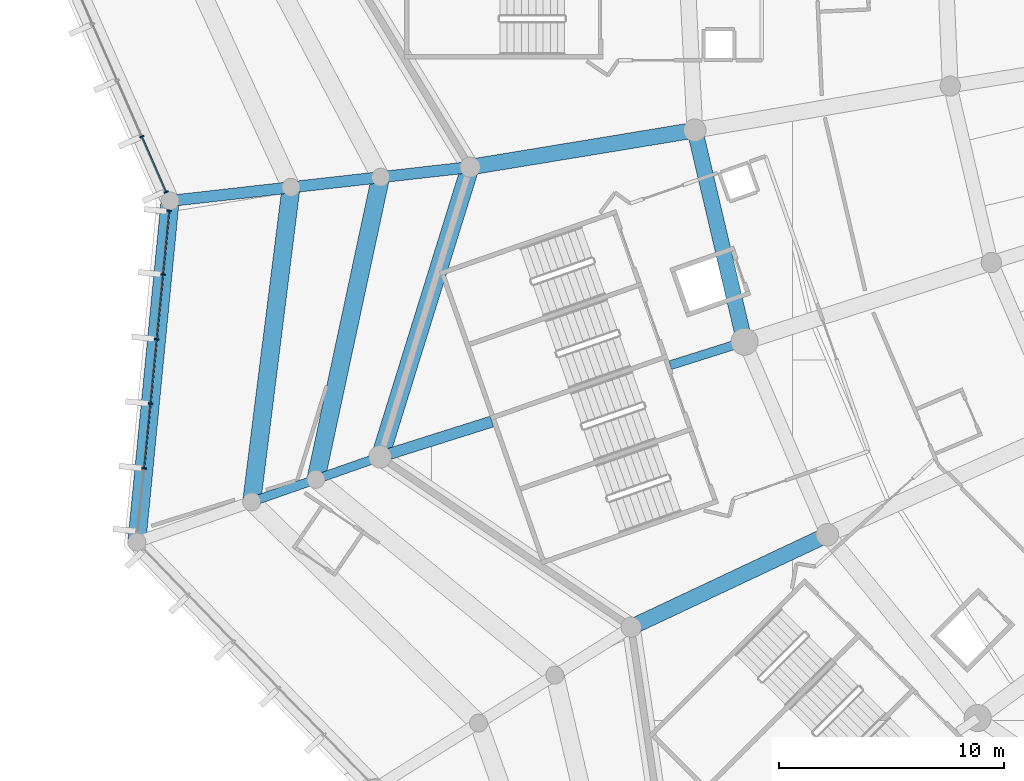
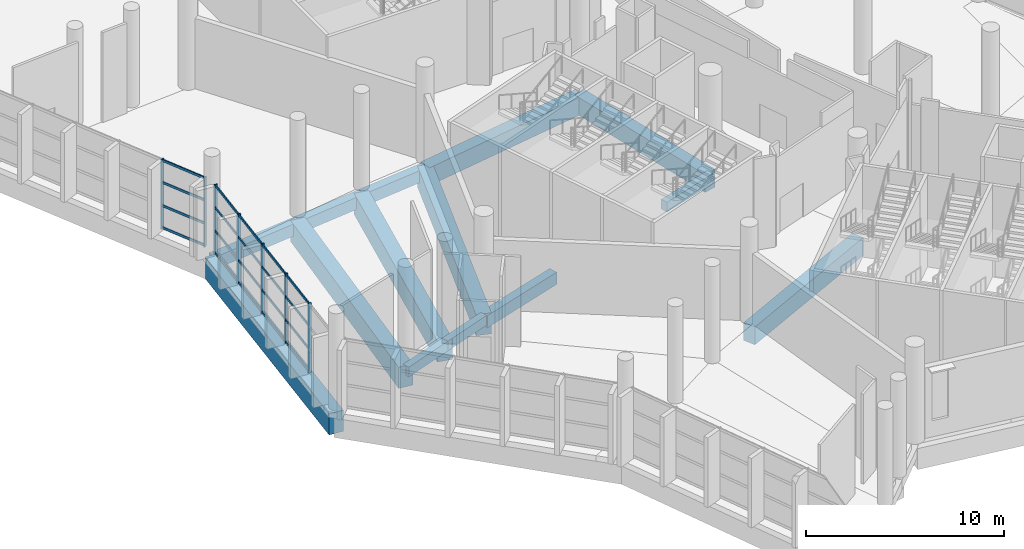
# One storey, part 9 of 249: 27 members, 14 beams, 2 elements without a shape of their own.
"""IFC4 building model written with IfcOpenShell, lengths in metres."""

from ifc_helpers import new_model, si_unit, direction, frame, origin, origin_2d, place, context, subcontext, project, spatial, rectangle, extrude, material, layer, layer_set, material_profile, profile_set, type_object, element, aggregate, save


model = new_model("IFC4")

# Units and contexts
model_context = context("Model", 3, precision=1e-05, world=origin(), true_north=direction((0.0, 1.0)))
body_context = subcontext(model_context, "Body", "Model", "MODEL_VIEW")
ifc_project = project(units=[si_unit("LENGTHUNIT", "METRE"), si_unit("AREAUNIT", "SQUARE_METRE"), si_unit("VOLUMEUNIT", "CUBIC_METRE"), si_unit("PLANEANGLEUNIT", "RADIAN"), si_unit("MASSUNIT", "GRAM", prefix="KILO")], contexts=[model_context])

# Site, building, storey
site_placement = place(None, origin())
site = spatial("IfcSite", under=ifc_project, at=site_placement, CompositionType="ELEMENT")
building_placement = place(site_placement, origin())
building = spatial("IfcBuilding", under=site, at=building_placement, Name="Meseta Stadium", CompositionType="ELEMENT")
storey_placement = place(building_placement, frame((0.0, 0.0, 12.0)))
storey = spatial("IfcBuildingStorey", under=building, at=storey_placement, Name="L02", CompositionType="ELEMENT", Elevation=12.0)

# Beams
ifc_material_1 = material(Name="Concrete C40/50", Category="concrete")
ifc_material_profile_1 = material_profile(ifc_material_1, rectangle(XDim=0.39990234375, YDim=0.60009765625, at=origin_2d()), Name="RC 400x600")
ifc_profile_set_1 = profile_set([ifc_material_profile_1], Name="Concrete C40/50")
beam_type_1 = type_object("IfcBeamType", Name="RC beam 400x600", PredefinedType="BEAM", material=ifc_profile_set_1)
beam_1_placement = place(storey_placement, frame((-82.119873046875, -63.191162109375, -0.64990234375), z_axis=(-0.953578389502, -0.301144907105, 0.0), x_axis=(0.301144907105, -0.953578389502, 0.0)))
element("IfcBeam", 1, at=beam_1_placement, inside=storey, type_object=beam_type_1, Name="L02 radial beam frame 38 line P to R", PredefinedType="BEAM", context=body_context, shape_type="SweptSolid", body=[
    extrude(rectangle(XDim=0.39990234375, YDim=0.60009765625, at=origin_2d()), origin(), (0.0, 0.0, 1.0), 3.451904296875),
])
beam_2_placement = place(storey_placement, frame((-98.291015625, -68.297607421875, -0.64990234375), z_axis=(-0.943904999317, -0.33021712897, 0.0), x_axis=(0.33021712897, -0.943904999317, 0.0)))
element("IfcBeam", 2, at=beam_2_placement, inside=storey, type_object=beam_type_1, Name="L02 radial beam frame 38 line R to M", PredefinedType="BEAM", context=body_context, shape_type="SweptSolid", body=[
    extrude(rectangle(XDim=0.39990234375, YDim=0.60009765625, at=origin_2d()), origin(), (0.0, 0.0, 1.0), 3.018798828125),
])
beam_3_placement = place(storey_placement, frame((-101.140380859375, -69.29443359375, -0.64990234375), z_axis=(-0.943888610281, -0.330263972274, 0.0), x_axis=(0.330263972274, -0.943888610281, 0.0)))
element("IfcBeam", 3, at=beam_3_placement, inside=storey, type_object=beam_type_1, Name="L02 radial beam frame 38 line M to Q", PredefinedType="BEAM", context=body_context, shape_type="SweptSolid", body=[
    extrude(rectangle(XDim=0.39990234375, YDim=0.60009765625, at=origin_2d()), origin(), (0.0, 0.0, 1.0), 3.01904296875),
])
ifc_material_2 = material(Name="Concrete C40/50", Category="concrete")
ifc_material_profile_2 = material_profile(ifc_material_2, rectangle(XDim=0.5, YDim=0.75, at=origin_2d()), Name="RC 500x750")
ifc_profile_set_2 = profile_set([ifc_material_profile_2], Name="Concrete C40/50")
beam_type_2 = type_object("IfcBeamType", Name="RC beam 500x750", PredefinedType="BEAM", material=ifc_profile_set_2)
beam_4_placement = place(storey_placement, frame((-93.330078125, -66.73095703125, -0.72509765625), z_axis=(-0.953580537384, -0.301138105728, 0.0), x_axis=(0.301138105728, -0.953580537384, 0.0)))
element("IfcBeam", 4, at=beam_4_placement, inside=storey, type_object=beam_type_2, Name="L02 radial beam frame 38 line P to R", PredefinedType="BEAM", context=body_context, shape_type="SweptSolid", body=[
    extrude(rectangle(XDim=0.5, YDim=0.75, at=origin_2d()), origin(), (0.0, 0.0, 1.0), 5.202392578125),
])
for number, where, z_axis, x_axis, name in (
    (5, (-94.29443359375, -55.44140625, -0.72509765625), (-0.993708325891, -0.111998942203, 0.0), (0.111998942203, -0.993708325891, 0.0), "L02 radial beam frame 37 line R to M"),
    (6, (-98.269287109375, -55.889404296875, -0.72509765625), (-0.993715116939, -0.111938672346, 0.0), (0.111938672346, -0.993715116939, 0.0), "L02 radial beam frame 37 line M to Q"),
):
    element("IfcBeam", number, at=place(storey_placement, frame(where, z_axis=z_axis, x_axis=x_axis)), inside=storey, type_object=beam_type_2, Name=name, PredefinedType="BEAM", context=body_context, shape_type="SweptSolid", body=[
        extrude(rectangle(XDim=0.5, YDim=0.75, at=origin_2d()), origin(), (0.0, 0.0, 1.0), 4.0),
    ])
beam_5_placement = place(storey_placement, frame((-102.244140625, -56.337158203125, -0.72509765625), z_axis=(-0.993709385305, -0.111989542172, 0.0), x_axis=(0.111989542172, -0.993709385305, 0.0)))
element("IfcBeam", 7, at=beam_5_placement, inside=storey, type_object=beam_type_2, Name="L02 radial beam frame 37 line Q to O", PredefinedType="BEAM", context=body_context, shape_type="SweptSolid", body=[
    extrude(rectangle(XDim=0.5, YDim=0.75, at=origin_2d()), origin(), (0.0, 0.0, 1.0), 5.39990234375),
])
ifc_material_3 = material(Name="Concrete C40/50", Category="concrete")
ifc_material_profile_3 = material_profile(ifc_material_3, rectangle(XDim=0.699951171875, YDim=1.10009765625, at=origin_2d()), Name="RC 700x1100")
ifc_profile_set_3 = profile_set([ifc_material_profile_3], Name="Concrete C40/50")
beam_type_3 = type_object("IfcBeamType", Name="RC beam 700x1100", PredefinedType="BEAM", material=ifc_profile_set_3)
beam_6_placement = place(storey_placement, frame((-84.3251953125, -53.801513671875, -0.89990234375), z_axis=(0.228645688533, -0.973509706739, 0.0), x_axis=(0.973509706739, 0.228645688533, 0.0)))
element("IfcBeam", 8, at=beam_6_placement, inside=storey, type_object=beam_type_3, Name="L02 ring beam frame 37 line P", PredefinedType="BEAM", context=body_context, shape_type="SweptSolid", body=[
    extrude(rectangle(XDim=0.699951171875, YDim=1.10009765625, at=origin_2d()), origin(), (0.0, 0.0, 1.0), 9.645263671875),
])
beam_7_placement = place(storey_placement, frame((-84.3251953125, -53.801513671875, -0.89990234375), z_axis=(-0.986739169318, -0.162313929576, 0.0), x_axis=(0.162313929576, -0.986739169318, 0.0)))
element("IfcBeam", 9, at=beam_7_placement, inside=storey, type_object=beam_type_3, Name="L02 radial beam frame 37 line P to R", PredefinedType="BEAM", context=body_context, shape_type="SweptSolid", body=[
    extrude(rectangle(XDim=0.699951171875, YDim=1.10009765625, at=origin_2d()), origin(), (0.0, 0.0, 1.0), 10.103271484375),
])
beam_8_placement = place(storey_placement, frame((-78.4453125, -71.756103515625, -0.89990234375), z_axis=(-0.904664550747, -0.426124454382, 0.0), x_axis=(0.426124454382, -0.904664550747, 0.0)))
element("IfcBeam", 10, at=beam_8_placement, inside=storey, type_object=beam_type_3, Name="L02 radial beam frame 39 line P to R", PredefinedType="BEAM", context=body_context, shape_type="SweptSolid", body=[
    extrude(rectangle(XDim=0.699951171875, YDim=1.10009765625, at=origin_2d()), origin(), (0.0, 0.0, 1.0), 9.623046875),
])
ifc_material_4 = material(Name="Concrete C40/50", Category="concrete")
ifc_material_profile_4 = material_profile(ifc_material_4, rectangle(XDim=0.800048828125, YDim=1.300048828125, at=origin_2d()), Name="RC 800x1300")
ifc_profile_set_4 = profile_set([ifc_material_profile_4], Name="Concrete C40/50")
beam_type_4 = type_object("IfcBeamType", Name="RC beam 800x1300", PredefinedType="BEAM", material=ifc_profile_set_4)
beam_9_placement = place(storey_placement, frame((-94.29443359375, -55.44140625, -1.0), z_axis=(-0.296854913016, -0.954922594045, 0.0), x_axis=(0.954922594045, -0.296854913016, 0.0)))
element("IfcBeam", 11, at=beam_9_placement, inside=storey, type_object=beam_type_4, Name="L02 ring beam frame 37 line R", PredefinedType="BEAM", context=body_context, shape_type="SweptSolid", body=[
    extrude(rectangle(XDim=0.800048828125, YDim=1.300048828125, at=origin_2d()), origin(), (0.0, 0.0, 1.0), 13.463134765625),
])
beam_10_placement = place(storey_placement, frame((-98.269287109375, -55.889404296875, -1.0), z_axis=(-0.209430575028, -0.977823518966, 0.0), x_axis=(0.977823518966, -0.209430575028, 0.0)))
element("IfcBeam", 12, at=beam_10_placement, inside=storey, type_object=beam_type_4, Name="L02 ring beam frame 37 line M", PredefinedType="BEAM", context=body_context, shape_type="SweptSolid", body=[
    extrude(rectangle(XDim=0.800048828125, YDim=1.300048828125, at=origin_2d()), origin(), (0.0, 0.0, 1.0), 13.708984375),
])
beam_11_placement = place(storey_placement, frame((-102.244140625, -56.337158203125, -1.0), z_axis=(-0.124143703283, -0.99226424955, 0.0), x_axis=(0.99226424955, -0.124143703283, 0.0)))
element("IfcBeam", 13, at=beam_11_placement, inside=storey, type_object=beam_type_4, Name="L02 ring beam frame 37 line Q", PredefinedType="BEAM", context=body_context, shape_type="SweptSolid", body=[
    extrude(rectangle(XDim=0.800048828125, YDim=1.300048828125, at=origin_2d()), origin(), (0.0, 0.0, 1.0), 14.063232421875),
])
beam_12_placement = place(storey_placement, frame((-107.610107421875, -56.94189453125, -1.0), z_axis=(-0.097125179524, -0.99527217358, 0.0), x_axis=(0.99527217358, -0.097125179524, 0.0)))
element("IfcBeam", 14, at=beam_12_placement, inside=storey, type_object=beam_type_4, Name="L02 ring beam frame 37 line O", PredefinedType="BEAM", context=body_context, shape_type="SweptSolid", body=[
    extrude(rectangle(XDim=0.800048828125, YDim=1.300048828125, at=origin_2d()), origin(), (0.0, 0.0, 1.0), 15.205078125),
])

# Curtain wall, members
ifc_material_5 = material(Name="Aluminium", Category="aluminium")
ifc_layer = layer(ifc_material_5, 0.199951171875)
ifc_layer_set = layer_set([ifc_layer], Name="Ring shopfront curtain wall")
curtain_wall_type = type_object("IfcCurtainWallType", Name="Ring shopfront curtain wall", PredefinedType="NOTDEFINED", material=ifc_layer_set)
curtain_wall_1_placement = place(storey_placement, origin())
curtain_wall_1 = element("IfcCurtainWall", 15, at=curtain_wall_1_placement, inside=storey, type_object=curtain_wall_type, Name="Ring glazing L02 F36", PredefinedType="NOTDEFINED")
ifc_material_6 = material(Name="Aluminium", Category="aluminium")
ifc_material_profile_5 = material_profile(ifc_material_6, rectangle(XDim=0.199951171875, YDim=0.06005859375, at=origin_2d()), Name="CW 200x60")
ifc_profile_set_5 = profile_set([ifc_material_profile_5], Name="Aluminium")
member_type_1 = type_object("IfcMemberType", Name="Ring CW mullion 60x200", PredefinedType="MULLION", material=ifc_profile_set_5)
member_1_placement = place(storey_placement, frame((-108.864501953125, -54.083740234375, 0.0), z_axis=(0.0, 0.0, 1.0), x_axis=(0.915687110145, 0.401891921186, 0.0)))
member_1 = element("IfcMember", 16, at=member_1_placement, type_object=member_type_1, Name="CWR1 mullion 5", PredefinedType="MULLION", context=body_context, shape_type="SweptSolid", body=[
    extrude(rectangle(XDim=0.199951171875, YDim=0.06005859375, at=origin_2d()), origin(), (0.0, 0.0, 1.0), 4.300048828125),
])
member_2_placement = place(storey_placement, frame((-107.782958984375, -56.548095703125, 0.0), z_axis=(0.0, 0.0, 1.0), x_axis=(0.915687110145, 0.401891921186, 0.0)))
member_2 = element("IfcMember", 17, at=member_2_placement, type_object=member_type_1, Name="CWR1 mullion 6", PredefinedType="MULLION", context=body_context, shape_type="SweptSolid", body=[
    extrude(rectangle(XDim=0.199951171875, YDim=0.06005859375, at=origin_2d()), origin(), (0.0, 0.0, 1.0), 4.300048828125),
])

curtain_wall_2_placement = place(storey_placement, origin())
curtain_wall_2 = element("IfcCurtainWall", 18, at=curtain_wall_2_placement, inside=storey, type_object=curtain_wall_type, Name="Ring glazing L02 F37", PredefinedType="NOTDEFINED")
member_3_placement = place(storey_placement, frame((-107.65185546875, -57.369873046875, 0.0), z_axis=(0.0, 0.0, 1.0), x_axis=(0.995272228282, -0.097124618973, 0.0)))
member_3 = element("IfcMember", 19, at=member_3_placement, type_object=member_type_1, Name="CWR1 mullion 1", PredefinedType="MULLION", context=body_context, shape_type="SweptSolid", body=[
    extrude(rectangle(XDim=0.199951171875, YDim=0.06005859375, at=origin_2d()), origin(), (0.0, 0.0, 1.0), 4.300048828125),
])
member_4_placement = place(storey_placement, frame((-107.9287109375, -60.207275390625, 0.0), z_axis=(0.0, 0.0, 1.0), x_axis=(0.995272228282, -0.097124618973, 0.0)))
member_4 = element("IfcMember", 20, at=member_4_placement, type_object=member_type_1, Name="CWR1 mullion 2", PredefinedType="MULLION", context=body_context, shape_type="SweptSolid", body=[
    extrude(rectangle(XDim=0.199951171875, YDim=0.06005859375, at=origin_2d()), origin(), (0.0, 0.0, 1.0), 4.300048828125),
])
member_5_placement = place(storey_placement, frame((-108.208740234375, -63.07470703125, 0.0), z_axis=(0.0, 0.0, 1.0), x_axis=(0.995272228282, -0.097124618973, 0.0)))
member_5 = element("IfcMember", 21, at=member_5_placement, type_object=member_type_1, Name="CWR1 mullion 3", PredefinedType="MULLION", context=body_context, shape_type="SweptSolid", body=[
    extrude(rectangle(XDim=0.199951171875, YDim=0.06005859375, at=origin_2d()), origin(), (0.0, 0.0, 1.0), 4.300048828125),
])
member_6_placement = place(storey_placement, frame((-108.488525390625, -65.942138671875, 0.0), z_axis=(0.0, 0.0, 1.0), x_axis=(0.995272228282, -0.097124618973, 0.0)))
member_6 = element("IfcMember", 22, at=member_6_placement, type_object=member_type_1, Name="CWR1 mullion 4", PredefinedType="MULLION", context=body_context, shape_type="SweptSolid", body=[
    extrude(rectangle(XDim=0.199951171875, YDim=0.06005859375, at=origin_2d()), origin(), (0.0, 0.0, 1.0), 4.300048828125),
])
member_7_placement = place(storey_placement, frame((-108.768310546875, -68.8095703125, 0.0), z_axis=(0.0, 0.0, 1.0), x_axis=(0.995272228282, -0.097124618973, 0.0)))
member_7 = element("IfcMember", 23, at=member_7_placement, type_object=member_type_1, Name="CWR1 mullion 5", PredefinedType="MULLION", context=body_context, shape_type="SweptSolid", body=[
    extrude(rectangle(XDim=0.199951171875, YDim=0.06005859375, at=origin_2d()), origin(), (0.0, 0.0, 1.0), 4.300048828125),
])

# Member
ifc_material_7 = material(Name="Aluminium", Category="aluminium")
ifc_material_profile_6 = material_profile(ifc_material_7, rectangle(XDim=0.06005859375, YDim=0.14990234375, at=origin_2d()), Name="CW 60x150")
ifc_profile_set_6 = profile_set([ifc_material_profile_6], Name="Aluminium")
member_type_2 = type_object("IfcMemberType", Name="Ring CW transom 60x150", PredefinedType="USERDEFINED", material=ifc_profile_set_6)
member_8_placement = place(storey_placement, frame((-108.8525390625, -54.111083984375, 0.074951171875), z_axis=(0.40193314241, -0.915669017185, 0.0), x_axis=(0.915669017185, 0.40193314241, 0.0)))
member_8 = element("IfcMember", 24, at=member_8_placement, type_object=member_type_2, Name="CWR1 transom 5.1", ObjectType="TRANSOM", PredefinedType="USERDEFINED", context=body_context, shape_type="SweptSolid", body=[
    extrude(rectangle(XDim=0.06005859375, YDim=0.14990234375, at=origin_2d()), origin(), (0.0, 0.0, 1.0), 2.63134765625),
])

member_9_placement = place(storey_placement, frame((-108.8525390625, -54.111083984375, 1.433349609375), z_axis=(0.40193314241, -0.915669017185, 0.0), x_axis=(0.915669017185, 0.40193314241, 0.0)))
member_9 = element("IfcMember", 25, at=member_9_placement, type_object=member_type_2, Name="CWR1 transom 5.2", ObjectType="TRANSOM", PredefinedType="USERDEFINED", context=body_context, shape_type="SweptSolid", body=[
    extrude(rectangle(XDim=0.06005859375, YDim=0.14990234375, at=origin_2d()), origin(), (0.0, 0.0, 1.0), 2.63134765625),
])

member_10_placement = place(storey_placement, frame((-108.8525390625, -54.111083984375, 2.86669921875), z_axis=(0.40193314241, -0.915669017185, 0.0), x_axis=(0.915669017185, 0.40193314241, 0.0)))
member_10 = element("IfcMember", 26, at=member_10_placement, type_object=member_type_2, Name="CWR1 transom 5.3", ObjectType="TRANSOM", PredefinedType="USERDEFINED", context=body_context, shape_type="SweptSolid", body=[
    extrude(rectangle(XDim=0.06005859375, YDim=0.14990234375, at=origin_2d()), origin(), (0.0, 0.0, 1.0), 2.63134765625),
])

member_11_placement = place(storey_placement, frame((-108.8525390625, -54.111083984375, 4.22509765625), z_axis=(0.40193314241, -0.915669017185, 0.0), x_axis=(0.915669017185, 0.40193314241, 0.0)))
member_11 = element("IfcMember", 27, at=member_11_placement, type_object=member_type_2, Name="CWR1 transom 5.4", ObjectType="TRANSOM", PredefinedType="USERDEFINED", context=body_context, shape_type="SweptSolid", body=[
    extrude(rectangle(XDim=0.06005859375, YDim=0.14990234375, at=origin_2d()), origin(), (0.0, 0.0, 1.0), 2.63134765625),
])

aggregate(curtain_wall_1, [member_1, member_2, member_8, member_9, member_10, member_11])

member_12_placement = place(storey_placement, frame((-107.65478515625, -57.399658203125, 0.074951171875), z_axis=(-0.097182385377, -0.995266589398, 0.0), x_axis=(0.995266589398, -0.097182385377, 0.0)))
member_12 = element("IfcMember", 28, at=member_12_placement, type_object=member_type_2, Name="CWR1 transom 1.1", ObjectType="TRANSOM", PredefinedType="USERDEFINED", context=body_context, shape_type="SweptSolid", body=[
    extrude(rectangle(XDim=0.06005859375, YDim=0.14990234375, at=origin_2d()), origin(), (0.0, 0.0, 1.0), 2.791015625),
])

member_13_placement = place(storey_placement, frame((-107.65478515625, -57.399658203125, 1.433349609375), z_axis=(-0.097182385377, -0.995266589398, 0.0), x_axis=(0.995266589398, -0.097182385377, 0.0)))
member_13 = element("IfcMember", 29, at=member_13_placement, type_object=member_type_2, Name="CWR1 transom 1.2", ObjectType="TRANSOM", PredefinedType="USERDEFINED", context=body_context, shape_type="SweptSolid", body=[
    extrude(rectangle(XDim=0.06005859375, YDim=0.14990234375, at=origin_2d()), origin(), (0.0, 0.0, 1.0), 2.791015625),
])

member_14_placement = place(storey_placement, frame((-107.65478515625, -57.399658203125, 2.86669921875), z_axis=(-0.097182385377, -0.995266589398, 0.0), x_axis=(0.995266589398, -0.097182385377, 0.0)))
member_14 = element("IfcMember", 30, at=member_14_placement, type_object=member_type_2, Name="CWR1 transom 1.3", ObjectType="TRANSOM", PredefinedType="USERDEFINED", context=body_context, shape_type="SweptSolid", body=[
    extrude(rectangle(XDim=0.06005859375, YDim=0.14990234375, at=origin_2d()), origin(), (0.0, 0.0, 1.0), 2.791015625),
])

member_15_placement = place(storey_placement, frame((-107.65478515625, -57.399658203125, 4.22509765625), z_axis=(-0.097182385377, -0.995266589398, 0.0), x_axis=(0.995266589398, -0.097182385377, 0.0)))
member_15 = element("IfcMember", 31, at=member_15_placement, type_object=member_type_2, Name="CWR1 transom 1.4", ObjectType="TRANSOM", PredefinedType="USERDEFINED", context=body_context, shape_type="SweptSolid", body=[
    extrude(rectangle(XDim=0.06005859375, YDim=0.14990234375, at=origin_2d()), origin(), (0.0, 0.0, 1.0), 2.791015625),
])

member_16_placement = place(storey_placement, frame((-107.931640625, -60.237060546875, 0.074951171875), z_axis=(-0.097181503917, -0.995266675468, 0.0), x_axis=(0.995266675468, -0.097181503917, 0.0)))
member_16 = element("IfcMember", 32, at=member_16_placement, type_object=member_type_2, Name="CWR1 transom 2.1", ObjectType="TRANSOM", PredefinedType="USERDEFINED", context=body_context, shape_type="SweptSolid", body=[
    extrude(rectangle(XDim=0.06005859375, YDim=0.14990234375, at=origin_2d()), origin(), (0.0, 0.0, 1.0), 2.8212890625),
])

member_17_placement = place(storey_placement, frame((-107.931640625, -60.237060546875, 1.433349609375), z_axis=(-0.097181503917, -0.995266675468, 0.0), x_axis=(0.995266675468, -0.097181503917, 0.0)))
member_17 = element("IfcMember", 33, at=member_17_placement, type_object=member_type_2, Name="CWR1 transom 2.2", ObjectType="TRANSOM", PredefinedType="USERDEFINED", context=body_context, shape_type="SweptSolid", body=[
    extrude(rectangle(XDim=0.06005859375, YDim=0.14990234375, at=origin_2d()), origin(), (0.0, 0.0, 1.0), 2.8212890625),
])

member_18_placement = place(storey_placement, frame((-107.931640625, -60.237060546875, 2.86669921875), z_axis=(-0.097181503917, -0.995266675468, 0.0), x_axis=(0.995266675468, -0.097181503917, 0.0)))
member_18 = element("IfcMember", 34, at=member_18_placement, type_object=member_type_2, Name="CWR1 transom 2.3", ObjectType="TRANSOM", PredefinedType="USERDEFINED", context=body_context, shape_type="SweptSolid", body=[
    extrude(rectangle(XDim=0.06005859375, YDim=0.14990234375, at=origin_2d()), origin(), (0.0, 0.0, 1.0), 2.8212890625),
])

member_19_placement = place(storey_placement, frame((-107.931640625, -60.237060546875, 4.22509765625), z_axis=(-0.097181503917, -0.995266675468, 0.0), x_axis=(0.995266675468, -0.097181503917, 0.0)))
member_19 = element("IfcMember", 35, at=member_19_placement, type_object=member_type_2, Name="CWR1 transom 2.4", ObjectType="TRANSOM", PredefinedType="USERDEFINED", context=body_context, shape_type="SweptSolid", body=[
    extrude(rectangle(XDim=0.06005859375, YDim=0.14990234375, at=origin_2d()), origin(), (0.0, 0.0, 1.0), 2.8212890625),
])

member_20_placement = place(storey_placement, frame((-108.211669921875, -63.1044921875, 0.074951171875), z_axis=(-0.097095782713, -0.995275041875, 0.0), x_axis=(0.995275041875, -0.097095782713, 0.0)))
member_20 = element("IfcMember", 36, at=member_20_placement, type_object=member_type_2, Name="CWR1 transom 3.1", ObjectType="TRANSOM", PredefinedType="USERDEFINED", context=body_context, shape_type="SweptSolid", body=[
    extrude(rectangle(XDim=0.06005859375, YDim=0.14990234375, at=origin_2d()), origin(), (0.0, 0.0, 1.0), 2.8212890625),
])

member_21_placement = place(storey_placement, frame((-108.211669921875, -63.1044921875, 1.433349609375), z_axis=(-0.097095782713, -0.995275041875, 0.0), x_axis=(0.995275041875, -0.097095782713, 0.0)))
member_21 = element("IfcMember", 37, at=member_21_placement, type_object=member_type_2, Name="CWR1 transom 3.2", ObjectType="TRANSOM", PredefinedType="USERDEFINED", context=body_context, shape_type="SweptSolid", body=[
    extrude(rectangle(XDim=0.06005859375, YDim=0.14990234375, at=origin_2d()), origin(), (0.0, 0.0, 1.0), 2.8212890625),
])

member_22_placement = place(storey_placement, frame((-108.211669921875, -63.1044921875, 2.86669921875), z_axis=(-0.097095782713, -0.995275041875, 0.0), x_axis=(0.995275041875, -0.097095782713, 0.0)))
member_22 = element("IfcMember", 38, at=member_22_placement, type_object=member_type_2, Name="CWR1 transom 3.3", ObjectType="TRANSOM", PredefinedType="USERDEFINED", context=body_context, shape_type="SweptSolid", body=[
    extrude(rectangle(XDim=0.06005859375, YDim=0.14990234375, at=origin_2d()), origin(), (0.0, 0.0, 1.0), 2.8212890625),
])

member_23_placement = place(storey_placement, frame((-108.211669921875, -63.1044921875, 4.22509765625), z_axis=(-0.097095782713, -0.995275041875, 0.0), x_axis=(0.995275041875, -0.097095782713, 0.0)))
member_23 = element("IfcMember", 39, at=member_23_placement, type_object=member_type_2, Name="CWR1 transom 3.4", ObjectType="TRANSOM", PredefinedType="USERDEFINED", context=body_context, shape_type="SweptSolid", body=[
    extrude(rectangle(XDim=0.06005859375, YDim=0.14990234375, at=origin_2d()), origin(), (0.0, 0.0, 1.0), 2.8212890625),
])

member_24_placement = place(storey_placement, frame((-108.491455078125, -65.971923828125, 0.074951171875), z_axis=(-0.097095782713, -0.995275041875, 0.0), x_axis=(0.995275041875, -0.097095782713, 0.0)))
member_24 = element("IfcMember", 40, at=member_24_placement, type_object=member_type_2, Name="CWR1 transom 4.1", ObjectType="TRANSOM", PredefinedType="USERDEFINED", context=body_context, shape_type="SweptSolid", body=[
    extrude(rectangle(XDim=0.06005859375, YDim=0.14990234375, at=origin_2d()), origin(), (0.0, 0.0, 1.0), 2.8212890625),
])

member_25_placement = place(storey_placement, frame((-108.491455078125, -65.971923828125, 1.433349609375), z_axis=(-0.097095782713, -0.995275041875, 0.0), x_axis=(0.995275041875, -0.097095782713, 0.0)))
member_25 = element("IfcMember", 41, at=member_25_placement, type_object=member_type_2, Name="CWR1 transom 4.2", ObjectType="TRANSOM", PredefinedType="USERDEFINED", context=body_context, shape_type="SweptSolid", body=[
    extrude(rectangle(XDim=0.06005859375, YDim=0.14990234375, at=origin_2d()), origin(), (0.0, 0.0, 1.0), 2.8212890625),
])

member_26_placement = place(storey_placement, frame((-108.491455078125, -65.971923828125, 2.86669921875), z_axis=(-0.097095782713, -0.995275041875, 0.0), x_axis=(0.995275041875, -0.097095782713, 0.0)))
member_26 = element("IfcMember", 42, at=member_26_placement, type_object=member_type_2, Name="CWR1 transom 4.3", ObjectType="TRANSOM", PredefinedType="USERDEFINED", context=body_context, shape_type="SweptSolid", body=[
    extrude(rectangle(XDim=0.06005859375, YDim=0.14990234375, at=origin_2d()), origin(), (0.0, 0.0, 1.0), 2.8212890625),
])

member_27_placement = place(storey_placement, frame((-108.491455078125, -65.971923828125, 4.22509765625), z_axis=(-0.097095782713, -0.995275041875, 0.0), x_axis=(0.995275041875, -0.097095782713, 0.0)))
member_27 = element("IfcMember", 43, at=member_27_placement, type_object=member_type_2, Name="CWR1 transom 4.4", ObjectType="TRANSOM", PredefinedType="USERDEFINED", context=body_context, shape_type="SweptSolid", body=[
    extrude(rectangle(XDim=0.06005859375, YDim=0.14990234375, at=origin_2d()), origin(), (0.0, 0.0, 1.0), 2.8212890625),
])

aggregate(curtain_wall_2, [member_3, member_4, member_5, member_6, member_7, member_12, member_13, member_14, member_15, member_16, member_17, member_18, member_19, member_20, member_21, member_22, member_23, member_24, member_25, member_26, member_27])

save(model, "model.ifc")
